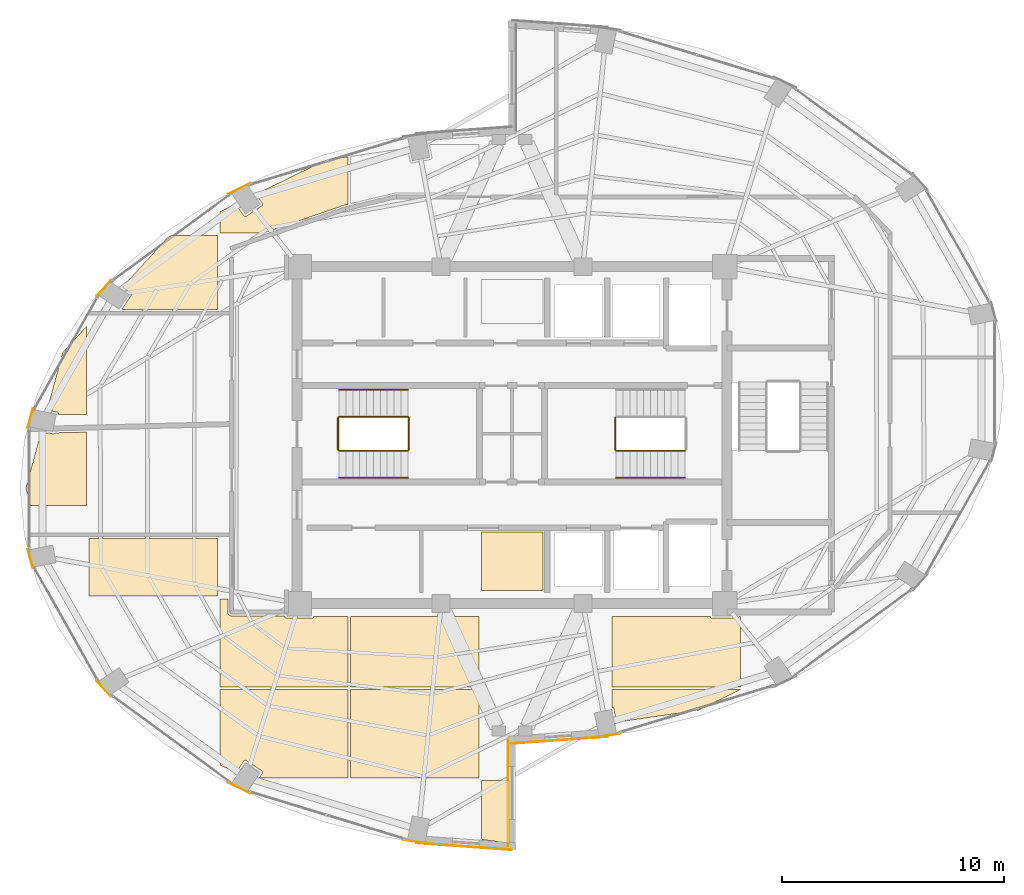
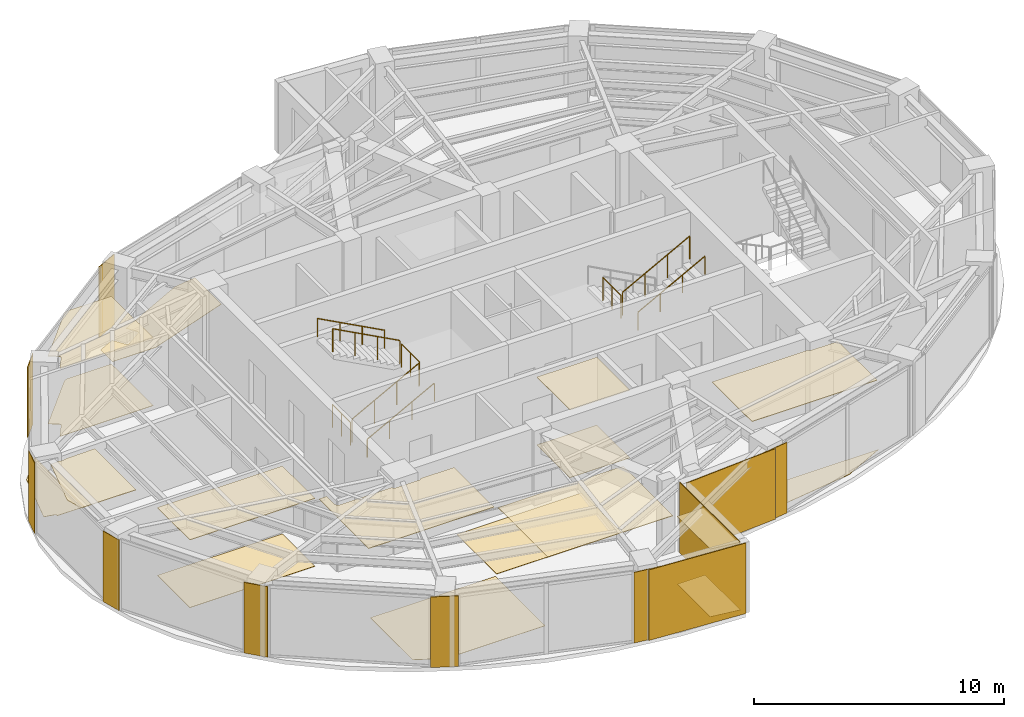
# One storey, part 22 of 23: 28 coverings, 9 railings.
"""IFC4 building model written with IfcOpenShell, lengths in metres."""

from ifc_helpers import new_model, si_unit, direction, frame, origin, origin_2d, place, context, subcontext, project, spatial, polyline, rectangle, circle, outline, extrude, material, layer, layer_set, type_object, element, save


model = new_model("IFC4")

# Units and contexts
model_context = context("Model", 3, precision=1e-05, world=origin(), true_north=direction((0.0, 1.0)))
body_context = subcontext(model_context, "Body", "Model", "MODEL_VIEW")
ifc_project = project(units=[si_unit("LENGTHUNIT", "METRE"), si_unit("AREAUNIT", "SQUARE_METRE"), si_unit("VOLUMEUNIT", "CUBIC_METRE"), si_unit("PLANEANGLEUNIT", "RADIAN"), si_unit("MASSUNIT", "GRAM", prefix="KILO")], contexts=[model_context])

# Site, building, storey
site_placement = place(None, origin())
site = spatial("IfcSite", under=ifc_project, at=site_placement, CompositionType="ELEMENT")
building_placement = place(site_placement, origin())
building = spatial("IfcBuilding", under=site, at=building_placement, Name="Lazwardi Medical Tower", CompositionType="ELEMENT")
storey_placement = place(building_placement, frame((0.0, 0.0, 234.9599609375)))
storey = spatial("IfcBuildingStorey", under=building, at=storey_placement, Name="L61", CompositionType="ELEMENT", Elevation=234.9599609375)

# Coverings
ifc_material_1 = material(Name="Anodised bronze aluminium cassette cladding", Category="aluminium")
ifc_layer_1 = layer(ifc_material_1, 0.030029296875)
ifc_layer_set_1 = layer_set([ifc_layer_1], Name="Anodised bronze aluminium cassette cladding")
covering_type_1 = type_object("IfcCoveringType", Name="COV-CLD-BRZ", PredefinedType="CLADDING", material=ifc_layer_set_1)
covering_1_placement = place(storey_placement, frame((40.3232421875, 14.450439453125, 0.0), z_axis=(0.0, 0.0, 1.0), x_axis=(0.989512431533, 0.144447733943, 0.0)))
element("IfcCovering", 1, at=covering_1_placement, inside=storey, type_object=covering_type_1, Name="L61 Mega-column bronze cassette cover M01", PredefinedType="CLADDING", context=body_context, shape_type="SweptSolid", body=[
    extrude(rectangle(XDim=1.188720703125, YDim=0.030029296875, at=origin_2d()), origin(), (0.0, 0.0, 1.0), 3.447998046875),
])
covering_2_placement = place(storey_placement, frame((23.688720703125, 39.121337890625, 0.0), z_axis=(0.0, 0.0, 1.0), x_axis=(-0.897840141691, -0.440321564278, 0.0)))
element("IfcCovering", 2, at=covering_2_placement, inside=storey, type_object=covering_type_1, Name="L61 Mega-column bronze cassette cover M10", PredefinedType="CLADDING", context=body_context, shape_type="SweptSolid", body=[
    extrude(rectangle(XDim=1.110595703125, YDim=0.030029296875, at=origin_2d()), origin(), (0.0, 0.0, 1.0), 3.447998046875),
])
covering_3_placement = place(storey_placement, frame((17.57470703125, 34.634765625, 0.0), z_axis=(0.0, 0.0, 1.0), x_axis=(-0.673240970654, -0.739423150458, 0.0)))
element("IfcCovering", 3, at=covering_3_placement, inside=storey, type_object=covering_type_1, Name="L61 Mega-column bronze cassette cover M11", PredefinedType="CLADDING", context=body_context, shape_type="SweptSolid", body=[
    extrude(rectangle(XDim=0.98974609375, YDim=0.030029296875, at=origin_2d()), origin(), (0.0, 0.0, 1.0), 3.447998046875),
])
for number, where, z_axis, x_axis, name in (
    (4, (14.265869140625, 28.772705078125, 0.0), (0.0, 0.0, 1.0), (-0.261641748247, -0.96516506131, 0.0), "L61 Mega-column bronze cassette cover M12"),
    (5, (14.265869140625, 22.427490234375, 0.0), (0.0, 0.0, 1.0), (0.261641748247, -0.96516506131, 0.0), "L61 Mega-column bronze cassette cover M13"),
):
    element("IfcCovering", number, at=place(storey_placement, frame(where, z_axis=z_axis, x_axis=x_axis)), inside=storey, type_object=covering_type_1, Name=name, PredefinedType="CLADDING", context=body_context, shape_type="SweptSolid", body=[
        extrude(rectangle(XDim=0.894287109375, YDim=0.030029296875, at=origin_2d()), origin(), (0.0, 0.0, 1.0), 3.447998046875),
    ])
covering_4_placement = place(storey_placement, frame((17.57470703125, 16.565185546875, 0.0), z_axis=(0.0, 0.0, 1.0), x_axis=(0.673240970654, -0.739423150458, 0.0)))
element("IfcCovering", 6, at=covering_4_placement, inside=storey, type_object=covering_type_1, Name="L61 Mega-column bronze cassette cover M14", PredefinedType="CLADDING", context=body_context, shape_type="SweptSolid", body=[
    extrude(rectangle(XDim=0.98974609375, YDim=0.030029296875, at=origin_2d()), origin(), (0.0, 0.0, 1.0), 3.447998046875),
])
covering_5_placement = place(storey_placement, frame((23.688720703125, 12.07861328125, 0.0), z_axis=(0.0, 0.0, 1.0), x_axis=(0.897840141691, -0.440321564278, 0.0)))
element("IfcCovering", 7, at=covering_5_placement, inside=storey, type_object=covering_type_1, Name="L61 Mega-column bronze cassette cover M15", PredefinedType="CLADDING", context=body_context, shape_type="SweptSolid", body=[
    extrude(rectangle(XDim=1.110595703125, YDim=0.030029296875, at=origin_2d()), origin(), (0.0, 0.0, 1.0), 3.447998046875),
])
covering_6_placement = place(storey_placement, frame((31.6767578125, 9.650390625, 0.0), z_axis=(0.0, 0.0, 1.0), x_axis=(0.989512431533, -0.144447733943, 0.0)))
element("IfcCovering", 8, at=covering_6_placement, inside=storey, type_object=covering_type_1, Name="L61 Mega-column bronze cassette cover M16", PredefinedType="CLADDING", context=body_context, shape_type="SweptSolid", body=[
    extrude(rectangle(XDim=1.188720703125, YDim=0.030029296875, at=origin_2d()), origin(), (0.0, 0.0, 1.0), 3.447998046875),
])
ifc_material_2 = material(Name="Turquoise glazed ceramic tilework cladding", Category="masonry")
ifc_layer_2 = layer(ifc_material_2, 0.034912109375)
ifc_layer_set_2 = layer_set([ifc_layer_2], Name="Turquoise glazed ceramic tilework cladding")
covering_type_2 = type_object("IfcCoveringType", Name="COV-CLD-TRQ", PredefinedType="CLADDING", material=ifc_layer_set_2)
covering_7_placement = place(storey_placement, frame((38.16259765625, 14.239990234375, 0.0), z_axis=(0.0, 0.0, 1.0), x_axis=(0.997409491337, 0.071932653157, 0.0)))
element("IfcCovering", 9, at=covering_7_placement, inside=storey, type_object=covering_type_2, Name="L61 Turquoise glazed ceramic tilework cladding", PredefinedType="CLADDING", context=body_context, shape_type="SweptSolid", body=[
    extrude(rectangle(XDim=4.31103515625, YDim=0.034912109375, at=origin_2d()), origin(), (0.0, 0.0, 1.0), 3.447998046875),
])
covering_8_placement = place(storey_placement, frame((33.83740234375, 9.43994140625, 0.0), z_axis=(0.0, 0.0, 1.0), x_axis=(0.997408989128, -0.071939616387, 0.0)))
element("IfcCovering", 10, at=covering_8_placement, inside=storey, type_object=covering_type_2, Name="L61 Turquoise glazed ceramic tilework cladding", PredefinedType="CLADDING", context=body_context, shape_type="SweptSolid", body=[
    extrude(rectangle(XDim=4.310546875, YDim=0.034912109375, at=origin_2d()), origin(), (0.0, 0.0, 1.0), 3.447998046875),
])
covering_9_placement = place(storey_placement, frame((35.824462890625, 11.860107421875, 0.0), z_axis=(0.0, 0.0, 1.0), x_axis=(0.0, 1.0, 0.0)))
element("IfcCovering", 11, at=covering_9_placement, inside=storey, type_object=covering_type_2, Name="L61 Turquoise glazed ceramic tilework iwan panel", PredefinedType="CLADDING", context=body_context, shape_type="SweptSolid", body=[
    extrude(rectangle(XDim=4.800048828125, YDim=0.034912109375, at=origin_2d()), origin(), (0.0, 0.0, 1.0), 3.447998046875),
])
ifc_material_3 = material(Name="Acoustic mineral fibre tile")
ifc_layer_3 = layer(ifc_material_3, 0.02490234375)
ifc_layer_set_3 = layer_set([ifc_layer_3], Name="Acoustic mineral fibre tile")
covering_type_3 = type_object("IfcCoveringType", Name="COV-CLG-01", PredefinedType="CEILING", material=ifc_layer_set_3)
covering_10_placement = place(storey_placement, frame((0.0, 0.0, 3.302978515625)))
element("IfcCovering", 12, at=covering_10_placement, inside=storey, type_object=covering_type_3, Name="L61 Clinical Acoustic Ceiling 1", PredefinedType="CEILING", context=body_context, shape_type="SweptSolid", body=[
    extrude(outline(polyline([(16.802978515625, 28.13916015625), (15.36328125, 28.103515625), (15.36279296875, 28.10205078125), (15.358642578125, 28.095458984375), (15.35400390625, 28.089111328125), (15.3486328125, 28.083251953125), (15.343017578125, 28.077880859375), (15.336669921875, 28.0732421875), (15.329833984375, 28.0693359375), (15.32275390625, 28.06591796875), (15.315185546875, 28.063232421875), (15.3076171875, 28.061279296875), (15.300048828125, 28.060302734375), (15.2919921875, 28.059814453125), (15.2841796875, 28.060302734375), (15.276611328125, 28.061279296875), (15.0966796875, 28.09716796875), (14.739013671875, 28.08837890625), (14.06298828125, 25.60009765625), (14.271484375, 24.83251953125), (16.802978515625, 24.83251953125), (16.802978515625, 28.13916015625)])), origin(), (0.0, 0.0, 1.0), 0.025146484375),
])
covering_11_placement = place(storey_placement, frame((0.0, 0.0, 3.302978515625)))
element("IfcCovering", 13, at=covering_11_placement, inside=storey, type_object=covering_type_3, Name="L61 Clinical Acoustic Ceiling 2", PredefinedType="CEILING", context=body_context, shape_type="SweptSolid", body=[
    extrude(outline(polyline([(22.702880859375, 23.3349609375), (16.9228515625, 23.3349609375), (16.9228515625, 20.732421875), (22.702880859375, 20.732421875), (22.702880859375, 23.3349609375)])), origin(), (0.0, 0.0, 1.0), 0.025146484375),
])
covering_12_placement = place(storey_placement, frame((0.0, 0.0, 3.302978515625)))
element("IfcCovering", 14, at=covering_12_placement, inside=storey, type_object=covering_type_3, Name="L61 Clinical Acoustic Ceiling 3", PredefinedType="CEILING", context=body_context, shape_type="SweptSolid", body=[
    extrude(outline(polyline([(20.639892578125, 37.012451171875), (20.478271484375, 36.933349609375), (18.415283203125, 34.673095703125), (18.7919921875, 34.42138671875), (18.79833984375, 34.416748046875), (18.80419921875, 34.41162109375), (18.809326171875, 34.40576171875), (18.814208984375, 34.3994140625), (18.818115234375, 34.392578125), (18.821533203125, 34.385498046875), (18.82421875, 34.378173828125), (18.826171875, 34.37060546875), (18.8271484375, 34.36279296875), (18.82763671875, 34.35498046875), (18.8271484375, 34.34716796875), (18.826171875, 34.33935546875), (18.82421875, 34.331787109375), (18.821533203125, 34.324462890625), (18.818115234375, 34.3173828125), (18.814208984375, 34.310546875), (18.3828125, 33.6650390625), (22.702880859375, 33.6650390625), (22.702880859375, 37.012451171875), (20.639892578125, 37.012451171875)])), origin(), (0.0, 0.0, 1.0), 0.025146484375),
])
covering_13_placement = place(storey_placement, frame((0.0, 0.0, 3.302978515625)))
element("IfcCovering", 15, at=covering_13_placement, inside=storey, type_object=covering_type_3, Name="L61 Clinical Acoustic Ceiling 4", PredefinedType="CEILING", context=body_context, shape_type="SweptSolid", body=[
    extrude(outline(polyline([(28.602783203125, 19.820068359375), (27.04931640625, 19.820068359375), (27.048583984375, 19.814453125), (27.046630859375, 19.806884765625), (27.0439453125, 19.79931640625), (27.04052734375, 19.792236328125), (27.03662109375, 19.78564453125), (27.03173828125, 19.779296875), (27.026611328125, 19.7734375), (27.020751953125, 19.768310546875), (27.014404296875, 19.763427734375), (27.0078125, 19.759521484375), (27.00048828125, 19.756103515625), (26.9931640625, 19.75341796875), (26.985595703125, 19.75146484375), (26.977783203125, 19.75048828125), (26.969970703125, 19.75), (25.830078125, 19.75), (25.822265625, 19.75048828125), (25.814453125, 19.75146484375), (25.806884765625, 19.75341796875), (25.79931640625, 19.756103515625), (25.792236328125, 19.759521484375), (25.78564453125, 19.763427734375), (25.779296875, 19.768310546875), (25.7734375, 19.7734375), (25.768310546875, 19.779296875), (25.763427734375, 19.78564453125), (25.759521484375, 19.792236328125), (25.756103515625, 19.79931640625), (25.75341796875, 19.806884765625), (25.75146484375, 19.814453125), (25.75048828125, 19.822265625), (25.75, 19.830078125), (25.75, 19.844970703125), (23.35009765625, 19.844970703125), (23.345703125, 19.84521484375), (23.33642578125, 19.845703125), (23.32958984375, 19.84619140625), (23.3203125, 19.84765625), (23.31201171875, 19.84912109375), (23.302734375, 19.8515625), (23.2958984375, 19.853515625), (23.287109375, 19.856689453125), (23.279296875, 19.860107421875), (23.270751953125, 19.864013671875), (23.263916015625, 19.86767578125), (23.256103515625, 19.872314453125), (23.249267578125, 19.876953125), (23.24169921875, 19.882568359375), (23.236083984375, 19.88720703125), (23.229248046875, 19.893310546875), (23.223388671875, 19.8994140625), (23.217041015625, 19.90625), (23.21240234375, 19.911865234375), (23.206787109375, 19.919189453125), (23.202392578125, 19.926025390625), (23.197509765625, 19.93408203125), (23.194091796875, 19.94091796875), (23.18994140625, 19.94921875), (23.186767578125, 19.95703125), (23.18359375, 19.9658203125), (23.181396484375, 19.972900390625), (23.17919921875, 19.98193359375), (23.177490234375, 19.990234375), (23.17626953125, 19.99951171875), (23.175537109375, 20.00634765625), (23.175048828125, 20.015625), (23.175048828125, 20.02001953125), (23.175048828125, 20.612548828125), (22.822998046875, 20.612548828125), (22.822998046875, 16.632568359375), (28.602783203125, 16.632568359375), (28.602783203125, 19.820068359375)])), origin(), (0.0, 0.0, 1.0), 0.025146484375),
])
covering_14_placement = place(storey_placement, frame((0.0, 0.0, 3.302978515625)))
element("IfcCovering", 16, at=covering_14_placement, inside=storey, type_object=covering_type_3, Name="L61 Clinical Acoustic Ceiling 5", PredefinedType="CEILING", context=body_context, shape_type="SweptSolid", body=[
    extrude(outline(polyline([(34.5029296875, 12.532470703125), (34.5029296875, 16.512451171875), (28.722900390625, 16.512451171875), (28.722900390625, 12.532470703125), (34.5029296875, 12.532470703125)])), origin(), (0.0, 0.0, 1.0), 0.025146484375),
])
covering_15_placement = place(storey_placement, frame((0.0, 0.0, 3.302978515625)))
element("IfcCovering", 17, at=covering_15_placement, inside=storey, type_object=covering_type_3, Name="L61 Clinical Acoustic Ceiling 7", PredefinedType="CEILING", context=body_context, shape_type="SweptSolid", body=[
    extrude(outline(polyline([(34.622802734375, 9.761474609375), (35.919921875, 9.572509765625), (35.919921875, 12.41259765625), (34.622802734375, 12.41259765625), (34.622802734375, 9.761474609375)])), origin(), (0.0, 0.0, 1.0), 0.025146484375),
])
covering_16_placement = place(storey_placement, frame((0.0, 0.0, 3.302978515625)))
element("IfcCovering", 18, at=covering_16_placement, inside=storey, type_object=covering_type_3, Name="L61 Clinical Acoustic Ceiling 8", PredefinedType="CEILING", context=body_context, shape_type="SweptSolid", body=[
    extrude(outline(polyline([(34.622802734375, 20.97998046875), (37.389892578125, 20.97998046875), (37.389892578125, 23.6201171875), (34.622802734375, 23.6201171875), (34.622802734375, 20.97998046875)])), origin(), (0.0, 0.0, 1.0), 0.025146484375),
])
covering_17_placement = place(storey_placement, frame((0.0, 0.0, 3.302978515625)))
element("IfcCovering", 19, at=covering_17_placement, inside=storey, type_object=covering_type_3, Name="L61 Clinical Acoustic Ceiling 10", PredefinedType="CEILING", context=body_context, shape_type="SweptSolid", body=[
    extrude(outline(polyline([(46.302978515625, 19.820068359375), (46.249267578125, 19.820068359375), (46.24853515625, 19.814453125), (46.24658203125, 19.806884765625), (46.243896484375, 19.79931640625), (46.240478515625, 19.792236328125), (46.236572265625, 19.78564453125), (46.231689453125, 19.779296875), (46.2265625, 19.7734375), (46.220703125, 19.768310546875), (46.21435546875, 19.763427734375), (46.207763671875, 19.759521484375), (46.20068359375, 19.756103515625), (46.193115234375, 19.75341796875), (46.185546875, 19.75146484375), (46.177734375, 19.75048828125), (46.169921875, 19.75), (45.030029296875, 19.75), (45.022216796875, 19.75048828125), (45.014404296875, 19.75146484375), (45.0068359375, 19.75341796875), (44.99951171875, 19.756103515625), (44.9921875, 19.759521484375), (44.985595703125, 19.763427734375), (44.979248046875, 19.768310546875), (44.973388671875, 19.7734375), (44.96826171875, 19.779296875), (44.96337890625, 19.78564453125), (44.95947265625, 19.792236328125), (44.9560546875, 19.79931640625), (44.953369140625, 19.806884765625), (44.951416015625, 19.814453125), (44.95068359375, 19.820068359375), (40.52294921875, 19.820068359375), (40.52294921875, 16.632568359375), (46.302978515625, 16.632568359375), (46.302978515625, 19.820068359375)])), origin(), (0.0, 0.0, 1.0), 0.025146484375),
])
ifc_material_4 = material(Name="Anti-static hospital vinyl sheet flooring")
ifc_layer_4 = layer(ifc_material_4, 0.014892578125)
ifc_layer_set_4 = layer_set([ifc_layer_4], Name="Anti-static hospital vinyl sheet flooring")
covering_type_4 = type_object("IfcCoveringType", Name="COV-FLR-01", PredefinedType="FLOORING", material=ifc_layer_set_4)
covering_18_placement = place(storey_placement, origin())
element("IfcCovering", 20, at=covering_18_placement, inside=storey, type_object=covering_type_4, Name="L61 Clinical Vinyl Flooring 1", PredefinedType="FLOORING", context=body_context, shape_type="SweptSolid", body=[
    extrude(outline(polyline([(16.802978515625, 32.906494140625), (15.728271484375, 31.729248046875), (15.0224609375, 29.13134765625), (15.4716796875, 29.0419921875), (15.479248046875, 29.040283203125), (15.486572265625, 29.03759765625), (15.49365234375, 29.0341796875), (15.50048828125, 29.030029296875), (15.5068359375, 29.025390625), (15.5126953125, 29.020263671875), (15.517822265625, 29.014404296875), (15.5224609375, 29.008056640625), (15.526611328125, 29.001220703125), (15.52978515625, 28.994140625), (15.53271484375, 28.98681640625), (15.534423828125, 28.979248046875), (15.53564453125, 28.971435546875), (15.535888671875, 28.963623046875), (15.53564453125, 28.955810546875), (15.534423828125, 28.947998046875), (15.531494140625, 28.9326171875), (16.802978515625, 28.9326171875), (16.802978515625, 32.906494140625)])), origin(), (0.0, 0.0, 1.0), 0.01513671875),
])
covering_19_placement = place(storey_placement, origin())
element("IfcCovering", 21, at=covering_19_placement, inside=storey, type_object=covering_type_4, Name="L61 Clinical Vinyl Flooring 2", PredefinedType="FLOORING", context=body_context, shape_type="SweptSolid", body=[
    extrude(outline(polyline([(22.702880859375, 23.3349609375), (16.9228515625, 23.3349609375), (16.9228515625, 20.732421875), (22.702880859375, 20.732421875), (22.702880859375, 23.3349609375)])), origin(), (0.0, 0.0, 1.0), 0.01513671875),
])
covering_20_placement = place(storey_placement, origin())
element("IfcCovering", 22, at=covering_20_placement, inside=storey, type_object=covering_type_4, Name="L61 Clinical Vinyl Flooring 3", PredefinedType="FLOORING", context=body_context, shape_type="SweptSolid", body=[
    extrude(outline(polyline([(20.639892578125, 37.012451171875), (20.478271484375, 36.933349609375), (18.415283203125, 34.673095703125), (18.7919921875, 34.42138671875), (18.79833984375, 34.416748046875), (18.80419921875, 34.41162109375), (18.809326171875, 34.40576171875), (18.814208984375, 34.3994140625), (18.818115234375, 34.392578125), (18.821533203125, 34.385498046875), (18.82421875, 34.378173828125), (18.826171875, 34.37060546875), (18.8271484375, 34.36279296875), (18.82763671875, 34.35498046875), (18.8271484375, 34.34716796875), (18.826171875, 34.33935546875), (18.82421875, 34.331787109375), (18.821533203125, 34.324462890625), (18.818115234375, 34.3173828125), (18.814208984375, 34.310546875), (18.3828125, 33.6650390625), (22.702880859375, 33.6650390625), (22.702880859375, 37.012451171875), (20.639892578125, 37.012451171875)])), origin(), (0.0, 0.0, 1.0), 0.01513671875),
])
covering_21_placement = place(storey_placement, origin())
element("IfcCovering", 23, at=covering_21_placement, inside=storey, type_object=covering_type_4, Name="L61 Clinical Vinyl Flooring 4", PredefinedType="FLOORING", context=body_context, shape_type="SweptSolid", body=[
    extrude(outline(polyline([(22.822998046875, 13.119873046875), (23.545654296875, 12.766357421875), (23.900634765625, 13.297607421875), (23.905517578125, 13.303955078125), (23.91064453125, 13.309814453125), (23.91650390625, 13.31494140625), (23.9228515625, 13.319580078125), (23.929443359375, 13.32373046875), (23.9365234375, 13.3271484375), (23.944091796875, 13.329833984375), (23.95166015625, 13.331787109375), (23.95947265625, 13.332763671875), (23.96728515625, 13.333251953125), (23.97509765625, 13.332763671875), (23.98291015625, 13.331787109375), (23.990478515625, 13.329833984375), (23.997802734375, 13.3271484375), (24.0048828125, 13.32373046875), (24.01171875, 13.319580078125), (24.7099609375, 12.85302734375), (24.71630859375, 12.848388671875), (24.72216796875, 12.843017578125), (24.727294921875, 12.83740234375), (24.732177734375, 12.830810546875), (24.736083984375, 12.82421875), (24.739501953125, 12.817138671875), (24.7421875, 12.809814453125), (24.744140625, 12.802001953125), (24.7451171875, 12.794189453125), (24.74560546875, 12.78662109375), (24.7451171875, 12.77880859375), (24.744140625, 12.77099609375), (24.7421875, 12.76318359375), (24.739501953125, 12.755859375), (24.736083984375, 12.748779296875), (24.732177734375, 12.7421875), (24.592041015625, 12.532470703125), (28.602783203125, 12.532470703125), (28.602783203125, 16.512451171875), (22.822998046875, 16.512451171875), (22.822998046875, 13.119873046875)])), origin(), (0.0, 0.0, 1.0), 0.01513671875),
])
covering_22_placement = place(storey_placement, origin())
element("IfcCovering", 24, at=covering_22_placement, inside=storey, type_object=covering_type_4, Name="L61 Clinical Vinyl Flooring 5", PredefinedType="FLOORING", context=body_context, shape_type="SweptSolid", body=[
    extrude(outline(polyline([(28.602783203125, 40.56201171875), (27.59716796875, 40.41552734375), (24.4521484375, 38.877197265625), (24.732177734375, 38.4580078125), (24.736083984375, 38.451171875), (24.739501953125, 38.444091796875), (24.7421875, 38.436767578125), (24.744140625, 38.42919921875), (24.7451171875, 38.42138671875), (24.74560546875, 38.41357421875), (24.7451171875, 38.40576171875), (24.744140625, 38.39794921875), (24.7421875, 38.390380859375), (24.739501953125, 38.3828125), (24.736083984375, 38.375732421875), (24.732177734375, 38.369140625), (24.727294921875, 38.36279296875), (24.72216796875, 38.35693359375), (24.71630859375, 38.351806640625), (24.7099609375, 38.346923828125), (24.01171875, 37.88037109375), (24.0048828125, 37.876220703125), (23.997802734375, 37.872802734375), (23.990478515625, 37.8701171875), (23.98291015625, 37.868408203125), (23.97509765625, 37.8671875), (23.96728515625, 37.86669921875), (23.95947265625, 37.8671875), (23.95166015625, 37.868408203125), (23.944091796875, 37.8701171875), (23.9365234375, 37.872802734375), (23.929443359375, 37.876220703125), (23.9228515625, 37.88037109375), (23.91650390625, 37.885009765625), (23.91064453125, 37.89013671875), (23.905517578125, 37.89599609375), (23.900634765625, 37.90234375), (23.545654296875, 38.43359375), (22.822998046875, 38.080078125), (22.822998046875, 37.132568359375), (24.819091796875, 37.132568359375), (28.457763671875, 38.385498046875), (28.461669921875, 38.386962890625), (28.470703125, 38.389404296875), (28.474365234375, 38.390380859375), (28.602783203125, 38.4208984375), (28.602783203125, 40.56201171875)])), origin(), (0.0, 0.0, 1.0), 0.01513671875),
])
covering_23_placement = place(storey_placement, origin())
element("IfcCovering", 25, at=covering_23_placement, inside=storey, type_object=covering_type_4, Name="L61 Clinical Vinyl Flooring 6", PredefinedType="FLOORING", context=body_context, shape_type="SweptSolid", body=[
    extrude(outline(polyline([(34.5029296875, 19.820068359375), (28.722900390625, 19.820068359375), (28.722900390625, 16.632568359375), (34.5029296875, 16.632568359375), (34.5029296875, 19.820068359375)])), origin(), (0.0, 0.0, 1.0), 0.01513671875),
])
covering_24_placement = place(storey_placement, origin())
element("IfcCovering", 26, at=covering_24_placement, inside=storey, type_object=covering_type_4, Name="L61 Clinical Vinyl Flooring 7", PredefinedType="FLOORING", context=body_context, shape_type="SweptSolid", body=[
    extrude(outline(polyline([(34.622802734375, 9.761474609375), (35.919921875, 9.572509765625), (35.919921875, 12.41259765625), (34.622802734375, 12.41259765625), (34.622802734375, 9.761474609375)])), origin(), (0.0, 0.0, 1.0), 0.01513671875),
])
covering_25_placement = place(storey_placement, origin())
element("IfcCovering", 27, at=covering_25_placement, inside=storey, type_object=covering_type_4, Name="L61 Clinical Vinyl Flooring 8", PredefinedType="FLOORING", context=body_context, shape_type="SweptSolid", body=[
    extrude(outline(polyline([(34.622802734375, 20.97998046875), (37.389892578125, 20.97998046875), (37.389892578125, 23.6201171875), (34.622802734375, 23.6201171875), (34.622802734375, 20.97998046875)])), origin(), (0.0, 0.0, 1.0), 0.01513671875),
])
covering_26_placement = place(storey_placement, origin())
element("IfcCovering", 28, at=covering_26_placement, inside=storey, type_object=covering_type_4, Name="L61 Clinical Vinyl Flooring 10", PredefinedType="FLOORING", context=body_context, shape_type="SweptSolid", body=[
    extrude(outline(polyline([(40.52294921875, 15.722412109375), (40.5302734375, 15.72119140625), (40.537841796875, 15.71923828125), (40.54541015625, 15.716552734375), (40.552490234375, 15.71337890625), (40.55908203125, 15.709228515625), (40.5654296875, 15.70458984375), (40.5712890625, 15.69921875), (40.576416015625, 15.693603515625), (40.581298828125, 15.687255859375), (40.585205078125, 15.680419921875), (40.588623046875, 15.67333984375), (40.59130859375, 15.666015625), (40.59326171875, 15.658203125), (40.714599609375, 15.04736328125), (44.40283203125, 15.58447265625), (46.300048828125, 16.512451171875), (40.52294921875, 16.512451171875), (40.52294921875, 15.722412109375)])), origin(), (0.0, 0.0, 1.0), 0.01513671875),
])

# Railings
ifc_material_5 = material(Name="Stainless steel Grade 316", Category="steel")
railing_type_1 = type_object("IfcRailingType", Name="RLG-GRD-1150", PredefinedType="GUARDRAIL", material=ifc_material_5)
railing_1_placement = place(storey_placement, frame((28.199951171875, 27.2900390625, 0.165771484375)))
element("IfcRailing", 29, at=railing_1_placement, inside=storey, type_object=railing_type_1, Name="L61 ST1 stair guard 1", PredefinedType="GUARDRAIL", context=body_context, shape_type="SweptSolid", body=[
    extrude(circle(Radius=0.02392578125, at=origin_2d()), frame((0.0, 0.0, 1.1259765625), z_axis=(0.881783298633, 0.0, 0.471654761719), x_axis=(0.0, 1.0, 0.0)), (0.0, 0.0, 1.0), 3.515625),
    extrude(circle(Radius=0.02099609375, at=origin_2d()), origin(), (0.0, 0.0, 1.0), 1.099853515625),
    extrude(circle(Radius=0.02099609375, at=origin_2d()), frame((1.033447265625, 0.0, 0.552734375)), (0.0, 0.0, 1.0), 1.099853515625),
    extrude(circle(Radius=0.02099609375, at=origin_2d()), frame((2.066650390625, 0.0, 1.10546875)), (0.0, 0.0, 1.0), 1.099853515625),
    extrude(circle(Radius=0.02099609375, at=origin_2d()), frame((3.10009765625, 0.0, 1.658203125)), (0.0, 0.0, 1.0), 1.099853515625),
])
railing_2_placement = place(storey_placement, frame((31.35009765625, 27.340087890625, 1.823974609375)))
element("IfcRailing", 30, at=railing_2_placement, inside=storey, type_object=railing_type_1, Name="L61 ST1 stair guard 2", PredefinedType="GUARDRAIL", context=body_context, shape_type="SweptSolid", body=[
    extrude(circle(Radius=0.02392578125, at=origin_2d()), frame((0.0, 0.0, 1.1259765625), z_axis=(0.0, 1.0, 0.0), x_axis=(-1.0, 0.0, 0.0)), (0.0, 0.0, 1.0), 1.43994140625),
    extrude(circle(Radius=0.02099609375, at=origin_2d()), origin(), (0.0, 0.0, 1.0), 1.099853515625),
    extrude(circle(Radius=0.02099609375, at=origin_2d()), frame((0.0, 0.719970703125, 0.0)), (0.0, 0.0, 1.0), 1.099853515625),
    extrude(circle(Radius=0.02099609375, at=origin_2d()), frame((0.0, 1.43994140625, 0.0)), (0.0, 0.0, 1.0), 1.099853515625),
])
railing_3_placement = place(storey_placement, frame((31.300048828125, 28.830078125, 1.98974609375)))
element("IfcRailing", 31, at=railing_3_placement, inside=storey, type_object=railing_type_1, Name="L61 ST1 stair guard 3", PredefinedType="GUARDRAIL", context=body_context, shape_type="SweptSolid", body=[
    extrude(circle(Radius=0.02392578125, at=origin_2d()), frame((0.0, 0.0, 1.1259765625), z_axis=(-0.881783298633, 0.0, 0.471654761719), x_axis=(0.0, -1.0, 0.0)), (0.0, 0.0, 1.0), 3.515625),
    extrude(circle(Radius=0.02099609375, at=origin_2d()), origin(), (0.0, 0.0, 1.0), 1.099853515625),
    extrude(circle(Radius=0.02099609375, at=origin_2d()), frame((-1.033447265625, 0.0, 0.552734375)), (0.0, 0.0, 1.0), 1.099853515625),
    extrude(circle(Radius=0.02099609375, at=origin_2d()), frame((-2.066650390625, 0.0, 1.10546875)), (0.0, 0.0, 1.0), 1.099853515625),
    extrude(circle(Radius=0.02099609375, at=origin_2d()), frame((-3.10009765625, 0.0, 1.658203125)), (0.0, 0.0, 1.0), 1.099853515625),
])
railing_4_placement = place(storey_placement, frame((28.14990234375, 27.340087890625, 0.0)))
element("IfcRailing", 32, at=railing_4_placement, inside=storey, type_object=railing_type_1, Name="L61 ST1 stair guard 4", PredefinedType="GUARDRAIL", context=body_context, shape_type="SweptSolid", body=[
    extrude(circle(Radius=0.02392578125, at=origin_2d()), frame((0.0, 0.0, 1.1259765625), z_axis=(0.0, 1.0, 0.0), x_axis=(-1.0, 0.0, 0.0)), (0.0, 0.0, 1.0), 1.43994140625),
    extrude(circle(Radius=0.02099609375, at=origin_2d()), origin(), (0.0, 0.0, 1.0), 1.099853515625),
    extrude(circle(Radius=0.02099609375, at=origin_2d()), frame((0.0, 0.719970703125, 0.0)), (0.0, 0.0, 1.0), 1.099853515625),
    extrude(circle(Radius=0.02099609375, at=origin_2d()), frame((0.0, 1.43994140625, 0.0)), (0.0, 0.0, 1.0), 1.099853515625),
])
railing_5_placement = place(storey_placement, frame((40.64990234375, 28.780029296875, 1.823974609375)))
element("IfcRailing", 33, at=railing_5_placement, inside=storey, type_object=railing_type_1, Name="L61 ST2 stair guard 2", PredefinedType="GUARDRAIL", context=body_context, shape_type="SweptSolid", body=[
    extrude(circle(Radius=0.02392578125, at=origin_2d()), frame((0.0, 0.0, 1.1259765625), z_axis=(0.0, -1.0, 0.0), x_axis=(1.0, 0.0, 0.0)), (0.0, 0.0, 1.0), 1.43994140625),
    extrude(circle(Radius=0.02099609375, at=origin_2d()), origin(), (0.0, 0.0, 1.0), 1.099853515625),
    extrude(circle(Radius=0.02099609375, at=origin_2d()), frame((0.0, -0.719970703125, 0.0)), (0.0, 0.0, 1.0), 1.099853515625),
    extrude(circle(Radius=0.02099609375, at=origin_2d()), frame((0.0, -1.43994140625, 0.0)), (0.0, 0.0, 1.0), 1.099853515625),
])
railing_6_placement = place(storey_placement, frame((40.699951171875, 27.2900390625, 1.98974609375)))
element("IfcRailing", 34, at=railing_6_placement, inside=storey, type_object=railing_type_1, Name="L61 ST2 stair guard 3", PredefinedType="GUARDRAIL", context=body_context, shape_type="SweptSolid", body=[
    extrude(circle(Radius=0.02392578125, at=origin_2d()), frame((0.0, 0.0, 1.1259765625), z_axis=(0.881783298633, 0.0, 0.471654761719), x_axis=(0.0, 1.0, 0.0)), (0.0, 0.0, 1.0), 3.515625),
    extrude(circle(Radius=0.02099609375, at=origin_2d()), origin(), (0.0, 0.0, 1.0), 1.099853515625),
    extrude(circle(Radius=0.02099609375, at=origin_2d()), frame((1.033447265625, 0.0, 0.552734375)), (0.0, 0.0, 1.0), 1.099853515625),
    extrude(circle(Radius=0.02099609375, at=origin_2d()), frame((2.066650390625, 0.0, 1.10546875)), (0.0, 0.0, 1.0), 1.099853515625),
    extrude(circle(Radius=0.02099609375, at=origin_2d()), frame((3.10009765625, 0.0, 1.658203125)), (0.0, 0.0, 1.0), 1.099853515625),
])
railing_type_2 = type_object("IfcRailingType", Name="RLG-HND-920", PredefinedType="HANDRAIL", material=ifc_material_5)
railing_7_placement = place(storey_placement, frame((28.199951171875, 26.070068359375, 0.165771484375)))
element("IfcRailing", 35, at=railing_7_placement, inside=storey, type_object=railing_type_2, Name="L61 ST1 stair handrail 1", PredefinedType="HANDRAIL", context=body_context, shape_type="SweptSolid", body=[
    extrude(circle(Radius=0.02392578125, at=origin_2d()), frame((0.0, 0.0, 0.8857421875), z_axis=(0.881783298633, 0.0, 0.471654761719), x_axis=(0.0, 1.0, 0.0)), (0.0, 0.0, 1.0), 3.515625),
    extrude(circle(Radius=0.02099609375, at=origin_2d()), origin(), (0.0, 0.0, 1.0), 0.85986328125),
    extrude(circle(Radius=0.02099609375, at=origin_2d()), frame((1.033447265625, 0.0, 0.552734375)), (0.0, 0.0, 1.0), 0.85986328125),
    extrude(circle(Radius=0.02099609375, at=origin_2d()), frame((2.066650390625, 0.0, 1.10546875)), (0.0, 0.0, 1.0), 0.85986328125),
    extrude(circle(Radius=0.02099609375, at=origin_2d()), frame((3.10009765625, 0.0, 1.658203125)), (0.0, 0.0, 1.0), 0.85986328125),
])
railing_8_placement = place(storey_placement, frame((31.300048828125, 30.050048828125, 1.98974609375)))
element("IfcRailing", 36, at=railing_8_placement, inside=storey, type_object=railing_type_2, Name="L61 ST1 stair handrail 2", PredefinedType="HANDRAIL", context=body_context, shape_type="SweptSolid", body=[
    extrude(circle(Radius=0.02392578125, at=origin_2d()), frame((0.0, 0.0, 0.8857421875), z_axis=(-0.881783298633, 0.0, 0.471654761719), x_axis=(0.0, -1.0, 0.0)), (0.0, 0.0, 1.0), 3.515625),
    extrude(circle(Radius=0.02099609375, at=origin_2d()), origin(), (0.0, 0.0, 1.0), 0.85986328125),
    extrude(circle(Radius=0.02099609375, at=origin_2d()), frame((-1.033447265625, 0.0, 0.552734375)), (0.0, 0.0, 1.0), 0.85986328125),
    extrude(circle(Radius=0.02099609375, at=origin_2d()), frame((-2.066650390625, 0.0, 1.10546875)), (0.0, 0.0, 1.0), 0.85986328125),
    extrude(circle(Radius=0.02099609375, at=origin_2d()), frame((-3.10009765625, 0.0, 1.658203125)), (0.0, 0.0, 1.0), 0.85986328125),
])
railing_9_placement = place(storey_placement, frame((40.699951171875, 26.070068359375, 1.98974609375)))
element("IfcRailing", 37, at=railing_9_placement, inside=storey, type_object=railing_type_2, Name="L61 ST2 stair handrail 2", PredefinedType="HANDRAIL", context=body_context, shape_type="SweptSolid", body=[
    extrude(circle(Radius=0.02392578125, at=origin_2d()), frame((0.0, 0.0, 0.8857421875), z_axis=(0.881783298633, 0.0, 0.471654761719), x_axis=(0.0, 1.0, 0.0)), (0.0, 0.0, 1.0), 3.515625),
    extrude(circle(Radius=0.02099609375, at=origin_2d()), origin(), (0.0, 0.0, 1.0), 0.85986328125),
    extrude(circle(Radius=0.02099609375, at=origin_2d()), frame((1.033447265625, 0.0, 0.552734375)), (0.0, 0.0, 1.0), 0.85986328125),
    extrude(circle(Radius=0.02099609375, at=origin_2d()), frame((2.066650390625, 0.0, 1.10546875)), (0.0, 0.0, 1.0), 0.85986328125),
    extrude(circle(Radius=0.02099609375, at=origin_2d()), frame((3.10009765625, 0.0, 1.658203125)), (0.0, 0.0, 1.0), 0.85986328125),
])

save(model, "model.ifc")
